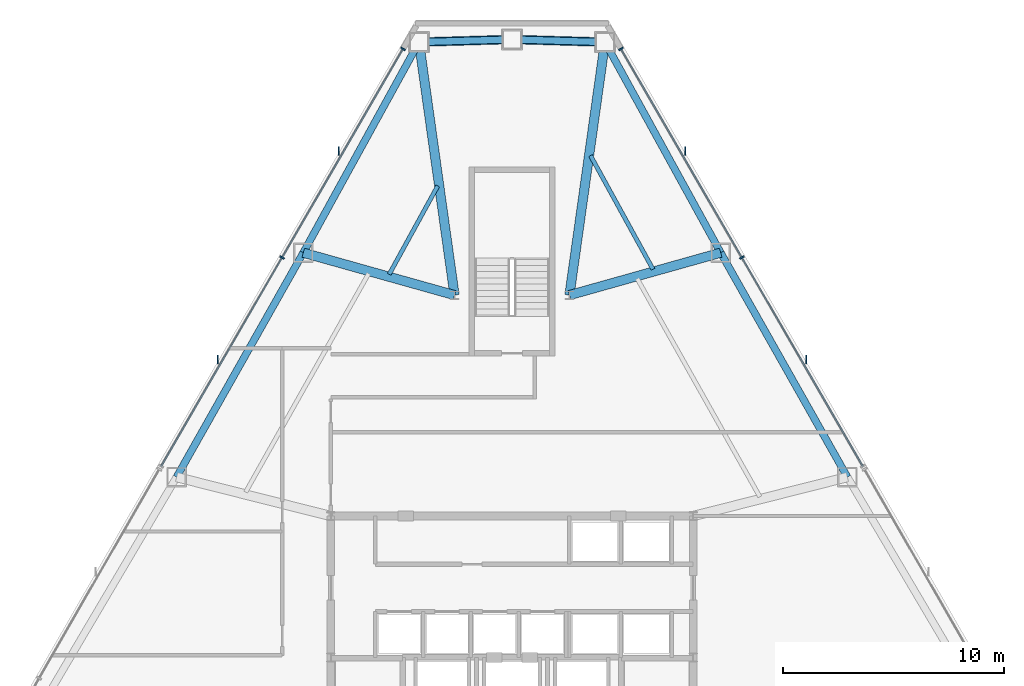
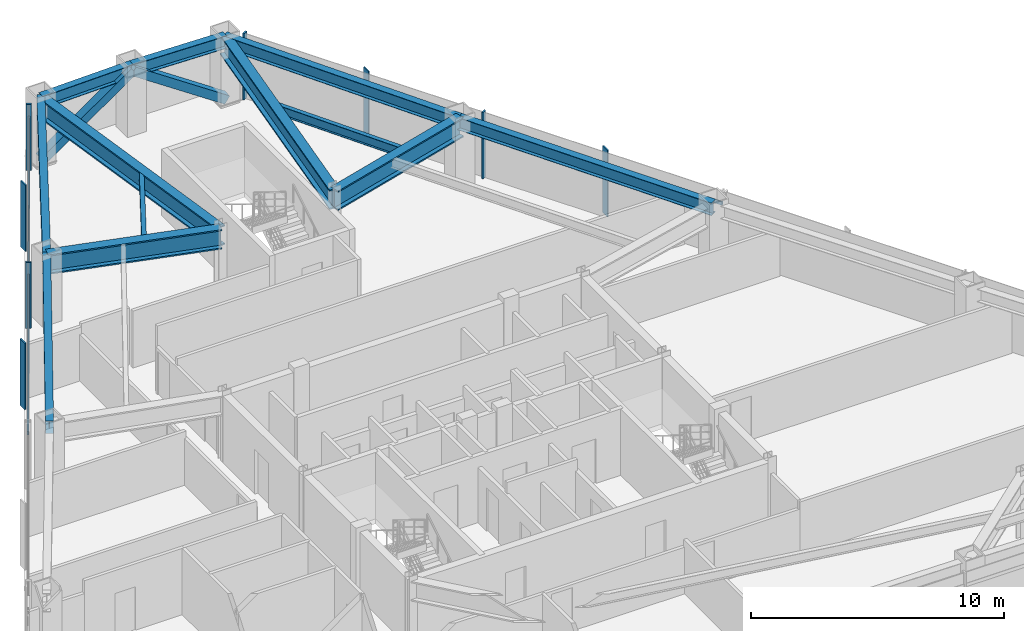
# One storey, part 8 of 12: 12 beams, 12 members, 2 elements without a shape of their own.
"""IFC4 building model written with IfcOpenShell, lengths in metres."""

from ifc_helpers import new_model, si_unit, direction, frame, origin, origin_2d, place, context, subcontext, project, spatial, rectangle, hollow_rectangle, i_section, extrude, source, transform, mapped, material, layer, layer_set, material_profile, profile_set, type_object, type_shapes, element, aggregate, save


model = new_model("IFC4")

# Units and contexts
model_context = context("Model", 3, precision=1e-05, world=origin(), true_north=direction((0.0, 1.0)))
body_context = subcontext(model_context, "Body", "Model", "MODEL_VIEW")
ifc_project = project(units=[si_unit("LENGTHUNIT", "METRE"), si_unit("AREAUNIT", "SQUARE_METRE"), si_unit("VOLUMEUNIT", "CUBIC_METRE"), si_unit("PLANEANGLEUNIT", "RADIAN"), si_unit("MASSUNIT", "GRAM", prefix="KILO")], contexts=[model_context])

# Site, building, storey
site_placement = place(None, origin())
site = spatial("IfcSite", under=ifc_project, at=site_placement, CompositionType="ELEMENT")
building_placement = place(site_placement, origin())
building = spatial("IfcBuilding", under=site, at=building_placement, Name="Varakhsha Concourse Tower", CompositionType="ELEMENT")
storey_placement = place(building_placement, frame((0.0, 0.0, 119.449951171875)))
storey = spatial("IfcBuildingStorey", under=building, at=storey_placement, Name="L34", CompositionType="ELEMENT", Elevation=119.449951171875)

# Beams
ifc_material_1 = material(Name="Structural Steel ASTM A992 Grade 50", Category="steel")
ifc_material_profile_1 = material_profile(ifc_material_1, i_section(OverallWidth=0.19091796875, OverallDepth=0.45703125, WebThickness=0.009033203125, FlangeThickness=0.013916015625, at=origin_2d()), Name="W18X50")
ifc_profile_set_1 = profile_set([ifc_material_profile_1], Name="Structural Steel ASTM A992 Grade 50")
beam_type_1 = type_object("IfcBeamType", Name="BM-JST-W18X50", PredefinedType="JOIST", material=ifc_profile_set_1)
beam_1_placement = place(storey_placement, frame((36.63916015625, 46.142578125, 2.9814453125), z_axis=(-0.481510175504, -0.876440500482, 0.0), x_axis=(0.876440500482, -0.481510175504, 0.0)))
element("IfcBeam", 1, at=beam_1_placement, inside=storey, type_object=beam_type_1, Name="BM-TJST-L34-03", PredefinedType="JOIST", context=body_context, shape_type="SweptSolid", body=[
    extrude(i_section(OverallWidth=0.19091796875, OverallDepth=0.45703125, WebThickness=0.009033203125, FlangeThickness=0.013916015625, at=origin_2d()), origin(), (0.0, 0.0, 1.0), 4.5654296875),
])
beam_2_placement = place(storey_placement, frame((46.380615234375, 42.371826171875, 2.9814453125), z_axis=(-0.481513189039, 0.876438844861, 0.0), x_axis=(-0.876438844861, -0.481513189039, 0.0)))
element("IfcBeam", 2, at=beam_2_placement, inside=storey, type_object=beam_type_1, Name="BM-TJST-L34-18", PredefinedType="JOIST", context=body_context, shape_type="SweptSolid", body=[
    extrude(i_section(OverallWidth=0.19091796875, OverallDepth=0.45703125, WebThickness=0.009033203125, FlangeThickness=0.013916015625, at=origin_2d()), origin(), (0.0, 0.0, 1.0), 5.870361328125),
])
ifc_material_profile_2 = material_profile(ifc_material_1, i_section(OverallWidth=0.423095703125, OverallDepth=0.947998046875, WebThickness=0.0380859375, FlangeThickness=0.06396484375, at=origin_2d()), Name="W36X302")
ifc_profile_set_2 = profile_set([ifc_material_profile_2], Name="Structural Steel ASTM A992 Grade 50")
beam_type_2 = type_object("IfcBeamType", Name="BM-OUTR-W36X302", PredefinedType="USERDEFINED", material=ifc_profile_set_2)
for number, where, z_axis, x_axis, name in (
    (3, (42.60009765625, 41.199951171875, 2.736083984375), (0.139121563406, 0.990275310505, 0.0), (-0.990275310505, 0.139121563406, 0.0), "L34 Radial Floor Girder 01"),
    (4, (37.39990234375, 41.199951171875, 2.736083984375), (-0.139121563406, 0.990275310505, 0.0), (-0.990275310505, -0.139121563406, 0.0), "L34 Radial Floor Girder 03"),
):
    element("IfcBeam", number, at=place(storey_placement, frame(where, z_axis=z_axis, x_axis=x_axis)), inside=storey, type_object=beam_type_2, Name=name, ObjectType="GIRDER", PredefinedType="USERDEFINED", context=body_context, shape_type="SweptSolid", body=[
        extrude(i_section(OverallWidth=0.423095703125, OverallDepth=0.947998046875, WebThickness=0.0380859375, FlangeThickness=0.06396484375, at=origin_2d()), origin(), (0.0, 0.0, 1.0), 11.564697265625),
    ])
for number, where, z_axis, x_axis, name in (
    (5, (37.39990234375, 41.199951171875, 2.736083984375), (-0.962829448279, 0.270110076685, 0.0), (-0.270110076685, -0.962829448279, 0.0), "L34 Radial Floor Girder 04"),
    (6, (42.60009765625, 41.199951171875, 2.736083984375), (0.962829448279, 0.270110076685, 0.0), (-0.270110076685, 0.962829448279, 0.0), "L34 Radial Floor Girder 18"),
):
    element("IfcBeam", number, at=place(storey_placement, frame(where, z_axis=z_axis, x_axis=x_axis)), inside=storey, type_object=beam_type_2, Name=name, ObjectType="GIRDER", PredefinedType="USERDEFINED", context=body_context, shape_type="SweptSolid", body=[
        extrude(i_section(OverallWidth=0.423095703125, OverallDepth=0.947998046875, WebThickness=0.0380859375, FlangeThickness=0.06396484375, at=origin_2d()), origin(), (0.0, 0.0, 1.0), 7.109619140625),
    ])
ifc_material_profile_3 = material_profile(ifc_material_1, i_section(OverallWidth=0.323974609375, OverallDepth=0.611083984375, WebThickness=0.012939453125, FlangeThickness=0.01904296875, at=origin_2d()), Name="W24X104")
ifc_profile_set_3 = profile_set([ifc_material_profile_3], Name="Structural Steel ASTM A992 Grade 50")
beam_type_3 = type_object("IfcBeamType", Name="BM-SPAN-W24X104", PredefinedType="SPANDREL", material=ifc_profile_set_3)
for number, where, z_axis, x_axis, name in (
    (7, (44.208984375, 52.652099609375, 2.904541015625), (-0.999586391622, 0.028758401986, 0.0), (-0.028758401986, -0.999586391622, 0.0), "BM-SPAN-L34-01"),
    (8, (40.0, 52.773193359375, 2.904541015625), (-0.999586391622, -0.028758401986, 0.0), (0.028758401986, -0.999586391622, 0.0), "BM-SPAN-L34-02"),
):
    element("IfcBeam", number, at=place(storey_placement, frame(where, z_axis=z_axis, x_axis=x_axis)), inside=storey, type_object=beam_type_3, Name=name, PredefinedType="SPANDREL", context=body_context, shape_type="SweptSolid", body=[
        extrude(i_section(OverallWidth=0.323974609375, OverallDepth=0.611083984375, WebThickness=0.012939453125, FlangeThickness=0.01904296875, at=origin_2d()), origin(), (0.0, 0.0, 1.0), 4.210693359375),
    ])
beam_3_placement = place(storey_placement, frame((35.791015625, 52.652099609375, 2.904541015625), z_axis=(-0.481503329039, -0.876444261847, 0.0), x_axis=(0.876444261847, -0.481503329039, 0.0)))
element("IfcBeam", 9, at=beam_3_placement, inside=storey, type_object=beam_type_3, Name="BM-SPAN-L34-03", PredefinedType="SPANDREL", context=body_context, shape_type="SweptSolid", body=[
    extrude(i_section(OverallWidth=0.323974609375, OverallDepth=0.611083984375, WebThickness=0.012939453125, FlangeThickness=0.01904296875, at=origin_2d()), origin(), (0.0, 0.0, 1.0), 10.87548828125),
])
for number, where, z_axis, x_axis, name in (
    (10, (30.554443359375, 43.120361328125, 2.904541015625), (-0.491700615918, -0.870764321907, 0.0), (0.870764321907, -0.491700615918, 0.0), "BM-SPAN-L34-04"),
    (11, (55.180419921875, 32.96435546875, 2.904541015625), (-0.491700615918, 0.870764321907, 0.0), (-0.870764321907, -0.491700615918, 0.0), "BM-SPAN-L34-17"),
):
    element("IfcBeam", number, at=place(storey_placement, frame(where, z_axis=z_axis, x_axis=x_axis)), inside=storey, type_object=beam_type_3, Name=name, PredefinedType="SPANDREL", context=body_context, shape_type="SweptSolid", body=[
        extrude(i_section(OverallWidth=0.323974609375, OverallDepth=0.611083984375, WebThickness=0.012939453125, FlangeThickness=0.01904296875, at=origin_2d()), origin(), (0.0, 0.0, 1.0), 11.663330078125),
    ])
beam_4_placement = place(storey_placement, frame((49.445556640625, 43.120361328125, 2.904541015625), z_axis=(-0.481503329039, 0.876444261847, 0.0), x_axis=(-0.876444261847, -0.481503329039, 0.0)))
element("IfcBeam", 12, at=beam_4_placement, inside=storey, type_object=beam_type_3, Name="BM-SPAN-L34-18", PredefinedType="SPANDREL", context=body_context, shape_type="SweptSolid", body=[
    extrude(i_section(OverallWidth=0.323974609375, OverallDepth=0.611083984375, WebThickness=0.012939453125, FlangeThickness=0.01904296875, at=origin_2d()), origin(), (0.0, 0.0, 1.0), 10.87548828125),
])

# Members
ifc_material_2 = material(Name="Structural Steel ASTM A500 Grade C", Category="steel")
ifc_material_profile_4 = material_profile(ifc_material_2, hollow_rectangle(XDim=0.39990234375, YDim=0.39990234375, WallThickness=0.01611328125, at=origin_2d()), Name="HSS 400x400x16")
ifc_profile_set_4 = profile_set([ifc_material_profile_4], Name="Structural Steel ASTM A500 Grade C")
member_type_1 = type_object("IfcMemberType", Name="MB-TUBE-HSS400", PredefinedType="BRACE", material=ifc_profile_set_4)
shared_shape_1 = source(origin(), body_context, "Body", "SweptSolid", [
    extrude(hollow_rectangle(XDim=0.39990234375, YDim=0.39990234375, WallThickness=0.01611328125, at=origin_2d()), origin(), (0.0, 0.0, 1.0), 5.05126953125),
])
type_shapes(member_type_1, [shared_shape_1])
for number, where, z_axis, x_axis, name in (
    (13, (44.208984375, 52.652099609375, 0.1201171875), (-0.833265723688, 0.023973306204, 0.552352708255), (-0.028758401986, -0.999586391622, 0.0), "L34 Wind-Corner Tube Brace B01"),
    (14, (35.791015625, 52.652099609375, 0.1201171875), (0.833265723688, 0.023973306204, 0.552352708255), (-0.028758401986, 0.999586391622, 0.0), "L34 Wind-Corner Tube Brace B02"),
):
    element("IfcMember", number, at=place(storey_placement, frame(where, z_axis=z_axis, x_axis=x_axis)), inside=storey, type_object=member_type_1, Name=name, PredefinedType="BRACE", context=body_context, shape_type="MappedRepresentation", body=[
        mapped(shared_shape_1, transform((0.0, 0.0, 0.0), scale=1.0)),
    ])

# Curtain wall, members
ifc_material_3 = material(Name="Anodised Bronze Architectural Aluminium AA 6063-T6", Category="aluminium")
ifc_layer = layer(ifc_material_3, 0.2099609375, Name="CW-SYS-04")
ifc_layer_set = layer_set([ifc_layer], Name="Anodised Bronze Architectural Aluminium AA 6063-T6")
curtain_wall_type = type_object("IfcCurtainWallType", Name="CW-SYS-04", PredefinedType="NOTDEFINED", material=ifc_layer_set)
curtain_wall_1_placement = place(storey_placement, origin())
curtain_wall_1 = element("IfcCurtainWall", 15, at=curtain_wall_1_placement, inside=storey, type_object=curtain_wall_type, Name="L34 Crystal Curtain Wall F2", PredefinedType="NOTDEFINED")
ifc_material_profile_5 = material_profile(ifc_material_3, rectangle(XDim=0.074951171875, YDim=0.219970703125, at=origin_2d()), Name="CWM-220X75")
ifc_profile_set_5 = profile_set([ifc_material_profile_5], Name="Anodised Bronze Architectural Aluminium AA 6063-T6")
member_type_2 = type_object("IfcMemberType", Name="CWM-220X75", PredefinedType="MULLION", material=ifc_profile_set_5)
shared_shape_2 = source(origin(), body_context, "Body", "SweptSolid", [
    extrude(rectangle(XDim=0.074951171875, YDim=0.219970703125, at=origin_2d()), origin(), (0.0, 0.0, 1.0), 3.2099609375),
])
type_shapes(member_type_2, [shared_shape_2])
member_1_placement = place(storey_placement, frame((29.595458984375, 42.90185546875, 0.0), z_axis=(0.0, 0.0, 1.0), x_axis=(0.501513757105, 0.865149669962, 0.0)))
member_1 = element("IfcMember", 16, at=member_1_placement, type_object=member_type_2, Name="CW-L34-F2 Mullion 01", PredefinedType="MULLION", context=body_context, shape_type="MappedRepresentation", body=[
    mapped(shared_shape_2, transform((0.0, 0.0, 0.0), scale=1.0)),
])
member_2_placement = place(storey_placement, frame((35.069091796875, 52.344482421875, 0.0), z_axis=(0.0, 0.0, 1.0), x_axis=(0.501513757105, 0.865149669962, 0.0)))
member_2 = element("IfcMember", 17, at=member_2_placement, type_object=member_type_2, Name="CW-L34-F2 Mullion 02", PredefinedType="MULLION", context=body_context, shape_type="MappedRepresentation", body=[
    mapped(shared_shape_2, transform((0.0, 0.0, 0.0), scale=1.0)),
])

curtain_wall_2_placement = place(storey_placement, origin())
curtain_wall_2 = element("IfcCurtainWall", 18, at=curtain_wall_2_placement, inside=storey, type_object=curtain_wall_type, Name="L34 Crystal Curtain Wall F9", PredefinedType="NOTDEFINED")
member_3_placement = place(storey_placement, frame((44.930908203125, 52.344482421875, 0.0), z_axis=(0.0, 0.0, 1.0), x_axis=(0.501513757105, -0.865149669962, 0.0)))
member_3 = element("IfcMember", 19, at=member_3_placement, type_object=member_type_2, Name="CW-L34-F9 Mullion 00", PredefinedType="MULLION", context=body_context, shape_type="MappedRepresentation", body=[
    mapped(shared_shape_2, transform((0.0, 0.0, 0.0), scale=1.0)),
])
member_4_placement = place(storey_placement, frame((50.404541015625, 42.90185546875, 0.0), z_axis=(0.0, 0.0, 1.0), x_axis=(0.501513757105, -0.865149669962, 0.0)))
member_4 = element("IfcMember", 20, at=member_4_placement, type_object=member_type_2, Name="CW-L34-F9 Mullion 01", PredefinedType="MULLION", context=body_context, shape_type="MappedRepresentation", body=[
    mapped(shared_shape_2, transform((0.0, 0.0, 0.0), scale=1.0)),
])

# Member
ifc_material_profile_6 = material_profile(ifc_material_3, rectangle(XDim=0.06494140625, YDim=0.159912109375, at=origin_2d()), Name="CWT-160X65")
ifc_profile_set_6 = profile_set([ifc_material_profile_6], Name="Anodised Bronze Architectural Aluminium AA 6063-T6")
member_type_3 = type_object("IfcMemberType", Name="CWT-160X65", PredefinedType="USERDEFINED", material=ifc_profile_set_6)
shared_shape_3 = source(origin(), body_context, "Body", "SweptSolid", [
    extrude(rectangle(XDim=0.06494140625, YDim=0.159912109375, at=origin_2d()), origin(), (0.0, 0.0, 1.0), 21.828857421875),
])
type_shapes(member_type_3, [shared_shape_3])
member_5_placement = place(storey_placement, frame((24.121826171875, 33.459228515625, 2.56005859375), z_axis=(0.501506171325, 0.865154067276, 0.0), x_axis=(-0.865154067276, 0.501506171325, 0.0)))
member_5 = element("IfcMember", 21, at=member_5_placement, type_object=member_type_3, Name="CW-L34-F2 Transom 01", ObjectType="TRANSOM", PredefinedType="USERDEFINED", context=body_context, shape_type="MappedRepresentation", body=[
    mapped(shared_shape_3, transform((0.0, 0.0, 0.0), scale=1.0)),
])

member_6_placement = place(storey_placement, frame((44.930908203125, 52.344482421875, 2.56005859375), z_axis=(0.501506171325, -0.865154067276, 0.0), x_axis=(0.865154067276, 0.501506171325, 0.0)))
member_6 = element("IfcMember", 22, at=member_6_placement, type_object=member_type_3, Name="CW-L34-F9 Transom 01", ObjectType="TRANSOM", PredefinedType="USERDEFINED", context=body_context, shape_type="MappedRepresentation", body=[
    mapped(shared_shape_3, transform((0.0, 0.0, 0.0), scale=1.0)),
])

ifc_material_profile_7 = material_profile(ifc_material_3, rectangle(XDim=0.06005859375, YDim=0.3798828125, at=origin_2d()), Name="FIN-BRZ-380")
ifc_profile_set_7 = profile_set([ifc_material_profile_7], Name="Anodised Bronze Architectural Aluminium AA 6063-T6")
member_type_4 = type_object("IfcMemberType", Name="FIN-BRZ-380", PredefinedType="USERDEFINED", material=ifc_profile_set_7)
shared_shape_4 = source(origin(), body_context, "Body", "SweptSolid", [
    extrude(rectangle(XDim=0.06005859375, YDim=0.3798828125, at=origin_2d()), origin(), (0.0, 0.0, 1.0), 3.2099609375),
])
type_shapes(member_type_4, [shared_shape_4])
member_7_placement = place(storey_placement, frame((26.681396484375, 38.283447265625, 0.0), z_axis=(0.0, 0.0, 1.0), x_axis=(1.0, 0.0, 0.0)))
member_7 = element("IfcMember", 23, at=member_7_placement, type_object=member_type_4, Name="L34 Anodised Bronze Solar Fin F2-1", ObjectType="SOLAR FIN", PredefinedType="USERDEFINED", context=body_context, shape_type="MappedRepresentation", body=[
    mapped(shared_shape_4, transform((0.0, 0.0, 0.0), scale=1.0)),
])

member_8_placement = place(storey_placement, frame((32.155029296875, 47.725830078125, 0.0), z_axis=(0.0, 0.0, 1.0), x_axis=(1.0, 0.0, 0.0)))
member_8 = element("IfcMember", 24, at=member_8_placement, type_object=member_type_4, Name="L34 Anodised Bronze Solar Fin F2-2", ObjectType="SOLAR FIN", PredefinedType="USERDEFINED", context=body_context, shape_type="MappedRepresentation", body=[
    mapped(shared_shape_4, transform((0.0, 0.0, 0.0), scale=1.0)),
])

aggregate(curtain_wall_1, [member_1, member_2, member_5, member_7, member_8])

member_9_placement = place(storey_placement, frame((47.844970703125, 47.725830078125, 0.0), z_axis=(0.0, 0.0, 1.0), x_axis=(1.0, 0.0, 0.0)))
member_9 = element("IfcMember", 25, at=member_9_placement, type_object=member_type_4, Name="L34 Anodised Bronze Solar Fin F9-1", ObjectType="SOLAR FIN", PredefinedType="USERDEFINED", context=body_context, shape_type="MappedRepresentation", body=[
    mapped(shared_shape_4, transform((0.0, 0.0, 0.0), scale=1.0)),
])

member_10_placement = place(storey_placement, frame((53.318603515625, 38.283447265625, 0.0), z_axis=(0.0, 0.0, 1.0), x_axis=(1.0, 0.0, 0.0)))
member_10 = element("IfcMember", 26, at=member_10_placement, type_object=member_type_4, Name="L34 Anodised Bronze Solar Fin F9-2", ObjectType="SOLAR FIN", PredefinedType="USERDEFINED", context=body_context, shape_type="MappedRepresentation", body=[
    mapped(shared_shape_4, transform((0.0, 0.0, 0.0), scale=1.0)),
])

aggregate(curtain_wall_2, [member_3, member_4, member_6, member_9, member_10])

save(model, "model.ifc")
